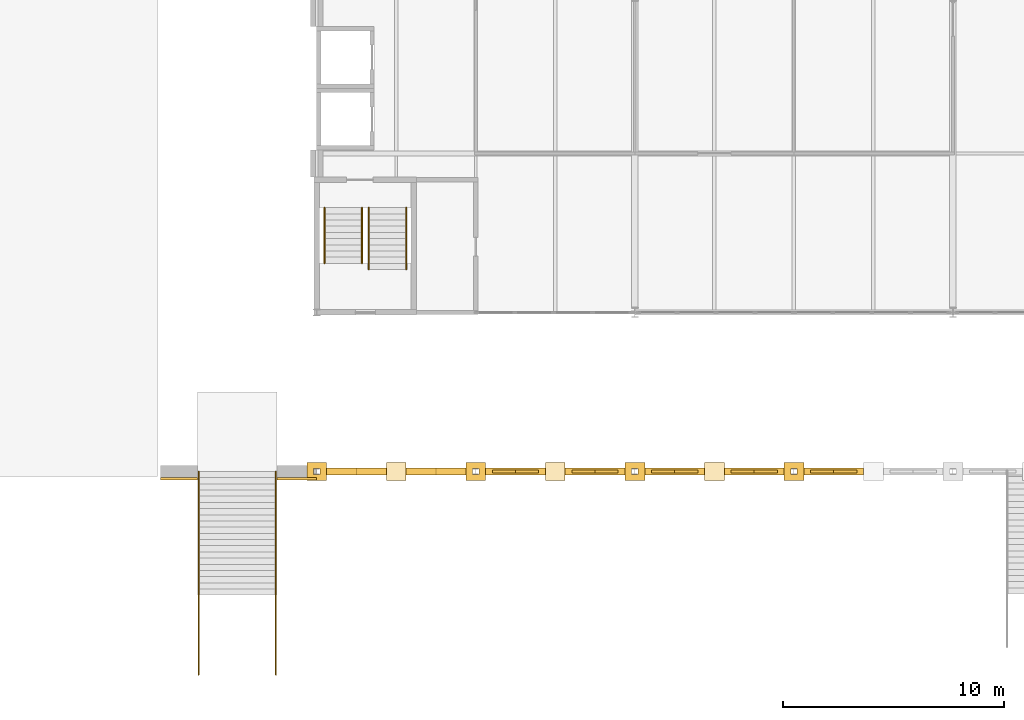
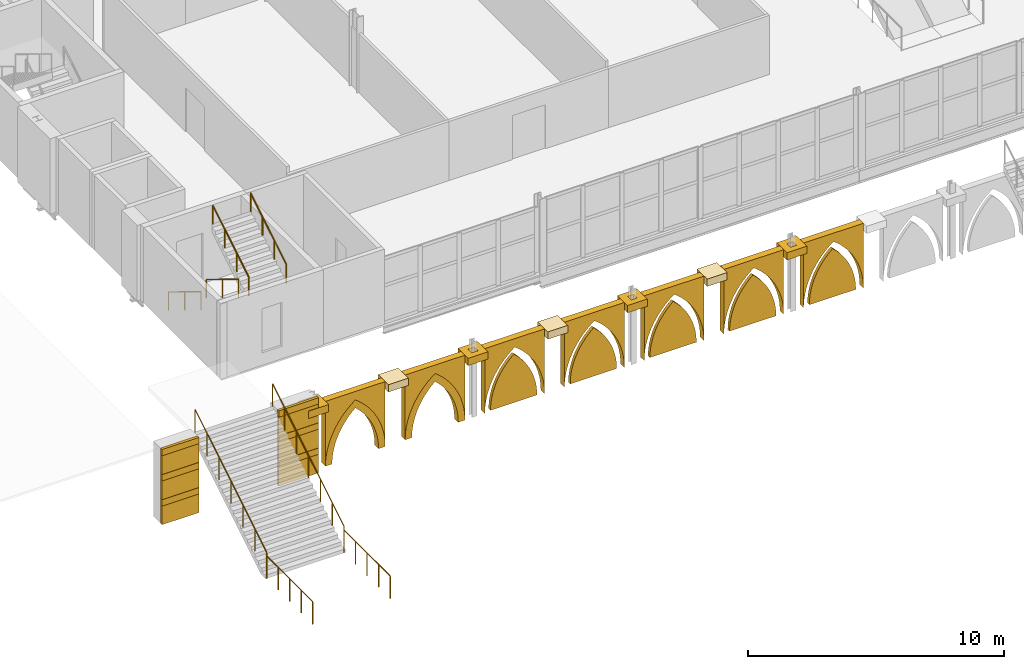
# One storey, part 78 of 90: 33 coverings, 8 railings.
"""IFC4 building model written with IfcOpenShell, lengths in metres."""

from ifc_helpers import new_model, si_unit, direction, frame, origin, origin_2d, place, context, subcontext, project, spatial, polyline, circle, outline, extrude, material, layer, layer_set, type_object, element, save


model = new_model("IFC4")

# Units and contexts
model_context = context("Model", 3, precision=1e-05, world=origin(), true_north=direction((0.0, 1.0)))
body_context = subcontext(model_context, "Body", "Model", "MODEL_VIEW")
ifc_project = project(units=[si_unit("LENGTHUNIT", "METRE"), si_unit("AREAUNIT", "SQUARE_METRE"), si_unit("VOLUMEUNIT", "CUBIC_METRE"), si_unit("PLANEANGLEUNIT", "RADIAN"), si_unit("MASSUNIT", "GRAM", prefix="KILO")], contexts=[model_context])

# Site, building, storey
site_placement = place(None, origin())
site = spatial("IfcSite", under=ifc_project, at=site_placement, CompositionType="ELEMENT")
building_placement = place(site_placement, origin())
building = spatial("IfcBuilding", under=site, at=building_placement, Name="Kupolbacken Congress Centre", CompositionType="ELEMENT")
storey_placement = place(building_placement, frame((0.0, 0.0, 3.60009765625)))
storey = spatial("IfcBuildingStorey", under=building, at=storey_placement, Name="L01", CompositionType="ELEMENT", Elevation=3.60009765625)

# Coverings
ifc_material_1 = material(Name="Limestone cladding", Category="masonry")
ifc_layer_1 = layer(ifc_material_1, 0.1201171875)
ifc_layer_set_1 = layer_set([ifc_layer_1], Name="Limestone cladding")
covering_type_1 = type_object("IfcCoveringType", Name="CV1 limestone cladding band 120", PredefinedType="CLADDING", material=ifc_layer_set_1)
for number, where, name in (
    (1, (0.0, 0.0, 0.89990234375), "Retaining wall facing, limestone course"),
    (2, (0.0, 0.0, 2.099853515625), "Retaining wall facing, limestone course"),
    (3, (0.0, 0.0, 3.2998046875), "Retaining wall facing, limestone course"),
):
    element("IfcCovering", number, at=place(storey_placement, frame(where)), inside=storey, type_object=covering_type_1, Name=name, PredefinedType="CLADDING", context=body_context, shape_type="SweptSolid", body=[
        extrude(outline(polyline([(0.1298828125, 21.205078125), (0.1298828125, 21.324951171875), (1.800048828125, 21.324951171875), (1.800048828125, 21.205078125), (0.1298828125, 21.205078125)])), origin(), (0.0, 0.0, 1.0), 0.300048828125),
    ])
for number, where, name in (
    (4, (0.0, 0.0, 0.89990234375), "Retaining wall facing, limestone course"),
    (5, (0.0, 0.0, 2.099853515625), "Retaining wall facing, limestone course"),
    (6, (0.0, 0.0, 3.2998046875), "Retaining wall facing, limestone course"),
):
    element("IfcCovering", number, at=place(storey_placement, frame(where)), inside=storey, type_object=covering_type_1, Name=name, PredefinedType="CLADDING", context=body_context, shape_type="SweptSolid", body=[
        extrude(outline(polyline([(5.39990234375, 21.205078125), (5.39990234375, 21.324951171875), (7.199951171875, 21.324951171875), (7.199951171875, 21.205078125), (5.39990234375, 21.205078125)])), origin(), (0.0, 0.0, 1.0), 0.300048828125),
    ])
ifc_material_2 = material(Name="Brick cladding", Category="masonry")
ifc_layer_2 = layer(ifc_material_2, 0.10791015625)
ifc_layer_set_2 = layer_set([ifc_layer_2], Name="Brick cladding")
covering_type_2 = type_object("IfcCoveringType", Name="CV2 brick cladding band 108", PredefinedType="CLADDING", material=ifc_layer_set_2)
for number, where, name in (
    (7, (0.0, 0.0, 0.0), "Retaining wall facing, brick course"),
    (8, (0.0, 0.0, 1.199951171875), "Retaining wall facing, brick course"),
    (9, (0.0, 0.0, 2.39990234375), "Retaining wall facing, brick course"),
):
    element("IfcCovering", number, at=place(storey_placement, frame(where)), inside=storey, type_object=covering_type_2, Name=name, PredefinedType="CLADDING", context=body_context, shape_type="SweptSolid", body=[
        extrude(outline(polyline([(0.1298828125, 21.217041015625), (0.1298828125, 21.324951171875), (1.800048828125, 21.324951171875), (1.800048828125, 21.217041015625), (0.1298828125, 21.217041015625)])), origin(), (0.0, 0.0, 1.0), 0.89990234375),
    ])
for number, where, name in (
    (10, (0.0, 0.0, 0.0), "Retaining wall facing, brick course"),
    (11, (0.0, 0.0, 1.199951171875), "Retaining wall facing, brick course"),
    (12, (0.0, 0.0, 2.39990234375), "Retaining wall facing, brick course"),
):
    element("IfcCovering", number, at=place(storey_placement, frame(where)), inside=storey, type_object=covering_type_2, Name=name, PredefinedType="CLADDING", context=body_context, shape_type="SweptSolid", body=[
        extrude(outline(polyline([(5.39990234375, 21.217041015625), (5.39990234375, 21.324951171875), (7.199951171875, 21.324951171875), (7.199951171875, 21.217041015625), (5.39990234375, 21.217041015625)])), origin(), (0.0, 0.0, 1.0), 0.89990234375),
    ])
ifc_material_3 = material(Name="Limestone cladding", Category="masonry")
ifc_layer_3 = layer(ifc_material_3, 0.60009765625)
ifc_layer_set_3 = layer_set([ifc_layer_3], Name="Limestone cladding")
covering_type_3 = type_object("IfcCoveringType", Name="CV5 limestone arcade pier 600", PredefinedType="CLADDING", material=ifc_layer_set_3)
covering_1_placement = place(storey_placement, frame((0.0, 0.0, 2.77001953125)))
element("IfcCovering", 13, at=covering_1_placement, inside=storey, type_object=covering_type_3, Name="F/arc/pier/007.2/cap", PredefinedType="CLADDING", context=body_context, shape_type="SweptSolid", body=[
    extrude(outline(polyline([(6.75, 21.199951171875), (7.64990234375, 21.199951171875), (7.64990234375, 22.0), (6.75, 22.0), (6.75, 21.199951171875)]), holes=[polyline([(7.06005859375, 21.4599609375), (7.340087890625, 21.4599609375), (7.340087890625, 21.739990234375), (7.06005859375, 21.739990234375), (7.06005859375, 21.4599609375)])]), origin(), (0.0, 0.0, 1.0), 0.349853515625),
])
covering_2_placement = place(storey_placement, frame((0.0, 0.0, 2.77001953125)))
element("IfcCovering", 14, at=covering_2_placement, inside=storey, type_object=covering_type_3, Name="F/arc/pier/010.8/cap", PredefinedType="CLADDING", context=body_context, shape_type="SweptSolid", body=[
    extrude(outline(polyline([(10.35009765625, 21.199951171875), (11.25, 21.199951171875), (11.25, 22.0), (10.35009765625, 22.0), (10.35009765625, 21.199951171875)])), origin(), (0.0, 0.0, 1.0), 0.349853515625),
])
covering_3_placement = place(storey_placement, frame((0.0, 0.0, 2.77001953125)))
element("IfcCovering", 15, at=covering_3_placement, inside=storey, type_object=covering_type_3, Name="F/arc/pier/014.4/cap", PredefinedType="CLADDING", context=body_context, shape_type="SweptSolid", body=[
    extrude(outline(polyline([(13.949951171875, 21.199951171875), (14.85009765625, 21.199951171875), (14.85009765625, 22.0), (13.949951171875, 22.0), (13.949951171875, 21.199951171875)]), holes=[polyline([(14.260009765625, 21.4599609375), (14.5400390625, 21.4599609375), (14.5400390625, 21.739990234375), (14.260009765625, 21.739990234375), (14.260009765625, 21.4599609375)])]), origin(), (0.0, 0.0, 1.0), 0.349853515625),
])
covering_4_placement = place(storey_placement, frame((0.0, 0.0, 2.77001953125)))
element("IfcCovering", 16, at=covering_4_placement, inside=storey, type_object=covering_type_3, Name="F/arc/pier/018.0/cap", PredefinedType="CLADDING", context=body_context, shape_type="SweptSolid", body=[
    extrude(outline(polyline([(17.550048828125, 21.199951171875), (18.449951171875, 21.199951171875), (18.449951171875, 22.0), (17.550048828125, 22.0), (17.550048828125, 21.199951171875)])), origin(), (0.0, 0.0, 1.0), 0.349853515625),
])
covering_5_placement = place(storey_placement, frame((0.0, 0.0, 2.77001953125)))
element("IfcCovering", 17, at=covering_5_placement, inside=storey, type_object=covering_type_3, Name="F/arc/pier/021.6/cap", PredefinedType="CLADDING", context=body_context, shape_type="SweptSolid", body=[
    extrude(outline(polyline([(21.14990234375, 21.199951171875), (22.050048828125, 21.199951171875), (22.050048828125, 22.0), (21.14990234375, 22.0), (21.14990234375, 21.199951171875)]), holes=[polyline([(21.4599609375, 21.4599609375), (21.739990234375, 21.4599609375), (21.739990234375, 21.739990234375), (21.4599609375, 21.739990234375), (21.4599609375, 21.4599609375)])]), origin(), (0.0, 0.0, 1.0), 0.349853515625),
])
covering_6_placement = place(storey_placement, frame((0.0, 0.0, 2.77001953125)))
element("IfcCovering", 18, at=covering_6_placement, inside=storey, type_object=covering_type_3, Name="F/arc/pier/025.2/cap", PredefinedType="CLADDING", context=body_context, shape_type="SweptSolid", body=[
    extrude(outline(polyline([(24.75, 21.199951171875), (25.64990234375, 21.199951171875), (25.64990234375, 22.0), (24.75, 22.0), (24.75, 21.199951171875)])), origin(), (0.0, 0.0, 1.0), 0.349853515625),
])
covering_7_placement = place(storey_placement, frame((0.0, 0.0, 2.77001953125)))
element("IfcCovering", 19, at=covering_7_placement, inside=storey, type_object=covering_type_3, Name="F/arc/pier/028.8/cap", PredefinedType="CLADDING", context=body_context, shape_type="SweptSolid", body=[
    extrude(outline(polyline([(28.35009765625, 21.199951171875), (29.25, 21.199951171875), (29.25, 22.0), (28.35009765625, 22.0), (28.35009765625, 21.199951171875)]), holes=[polyline([(28.659912109375, 21.4599609375), (28.93994140625, 21.4599609375), (28.93994140625, 21.739990234375), (28.659912109375, 21.739990234375), (28.659912109375, 21.4599609375)])]), origin(), (0.0, 0.0, 1.0), 0.349853515625),
])
ifc_material_4 = material(Name="Limestone cladding", Category="masonry")
ifc_layer_4 = layer(ifc_material_4, 0.300048828125)
ifc_layer_set_4 = layer_set([ifc_layer_4], Name="Limestone cladding")
covering_type_4 = type_object("IfcCoveringType", Name="CV6 limestone arcade arch frame 300", PredefinedType="CLADDING", material=ifc_layer_set_4)
covering_8_placement = place(storey_placement, frame((7.64990234375, 21.449951171875, 0.02001953125), z_axis=(0.0, 1.0, 0.0), x_axis=(-1.0, 0.0, 0.0)))
element("IfcCovering", 20, at=covering_8_placement, inside=storey, type_object=covering_type_4, Name="F/arc/arch/007.2", PredefinedType="CLADDING", context=body_context, shape_type="SweptSolid", body=[
    extrude(outline(polyline([(0.0, 0.0), (-0.00732421875, 0.223388671875), (-0.029541015625, 0.44580078125), (-0.06640625, 0.666259765625), (-0.117919921875, 0.8837890625), (-0.183349609375, 1.097412109375), (-0.262939453125, 1.30615234375), (-0.356201171875, 1.50927734375), (-0.462890625, 1.705810546875), (-0.58203125, 1.894775390625), (-0.713623046875, 2.075439453125), (-0.85693359375, 2.2470703125), (-1.010986328125, 2.408935546875), (-1.17578125, 2.56005859375), (-1.35009765625, 2.699951171875), (-1.5244140625, 2.56005859375), (-1.68896484375, 2.408935546875), (-1.843017578125, 2.2470703125), (-1.986328125, 2.075439453125), (-2.117919921875, 1.894775390625), (-2.2373046875, 1.705810546875), (-2.34375, 1.50927734375), (-2.43701171875, 1.30615234375), (-2.5166015625, 1.097412109375), (-2.582275390625, 0.8837890625), (-2.633544921875, 0.666259765625), (-2.67041015625, 0.44580078125), (-2.692626953125, 0.223388671875), (-2.699951171875, 0.0), (-2.39990234375, 0.0), (-2.394287109375, 0.18701171875), (-2.377197265625, 0.373291015625), (-2.348876953125, 0.55810546875), (-2.309326171875, 0.7412109375), (-2.2587890625, 0.921142578125), (-2.197265625, 1.097900390625), (-2.125244140625, 1.2705078125), (-2.042724609375, 1.4384765625), (-1.9501953125, 1.60107421875), (-1.847900390625, 1.7578125), (-1.736572265625, 1.907958984375), (-1.615966796875, 2.051025390625), (-1.487060546875, 2.186767578125), (-1.35009765625, 2.314208984375), (-1.212890625, 2.186767578125), (-1.083984375, 2.051025390625), (-0.96337890625, 1.907958984375), (-0.85205078125, 1.7578125), (-0.749755859375, 1.60107421875), (-0.6572265625, 1.4384765625), (-0.57470703125, 1.2705078125), (-0.502685546875, 1.097900390625), (-0.441162109375, 0.921142578125), (-0.390625, 0.7412109375), (-0.35107421875, 0.55810546875), (-0.32275390625, 0.373291015625), (-0.3056640625, 0.18701171875), (-0.300048828125, 0.0), (0.0, 0.0)])), origin(), (0.0, 0.0, 1.0), 0.300048828125),
])
covering_9_placement = place(storey_placement, frame((11.25, 21.449951171875, 0.02001953125), z_axis=(0.0, 1.0, 0.0), x_axis=(-1.0, 0.0, 0.0)))
element("IfcCovering", 21, at=covering_9_placement, inside=storey, type_object=covering_type_4, Name="F/arc/arch/010.8", PredefinedType="CLADDING", context=body_context, shape_type="SweptSolid", body=[
    extrude(outline(polyline([(0.0, 0.0), (-0.00732421875, 0.223388671875), (-0.029541015625, 0.44580078125), (-0.06640625, 0.666259765625), (-0.117919921875, 0.8837890625), (-0.183349609375, 1.097412109375), (-0.262939453125, 1.30615234375), (-0.356201171875, 1.50927734375), (-0.462890625, 1.705810546875), (-0.58203125, 1.894775390625), (-0.713623046875, 2.075439453125), (-0.85693359375, 2.2470703125), (-1.010986328125, 2.408935546875), (-1.17578125, 2.56005859375), (-1.35009765625, 2.699951171875), (-1.5244140625, 2.56005859375), (-1.68896484375, 2.408935546875), (-1.843017578125, 2.2470703125), (-1.986328125, 2.075439453125), (-2.117919921875, 1.894775390625), (-2.2373046875, 1.705810546875), (-2.34375, 1.50927734375), (-2.43701171875, 1.30615234375), (-2.5166015625, 1.097412109375), (-2.582275390625, 0.8837890625), (-2.633544921875, 0.666259765625), (-2.67041015625, 0.44580078125), (-2.692626953125, 0.223388671875), (-2.699951171875, 0.0), (-2.39990234375, 0.0), (-2.394287109375, 0.18701171875), (-2.377197265625, 0.373291015625), (-2.348876953125, 0.55810546875), (-2.309326171875, 0.7412109375), (-2.2587890625, 0.921142578125), (-2.197265625, 1.097900390625), (-2.125244140625, 1.2705078125), (-2.042724609375, 1.4384765625), (-1.9501953125, 1.60107421875), (-1.847900390625, 1.7578125), (-1.736572265625, 1.907958984375), (-1.615966796875, 2.051025390625), (-1.487060546875, 2.186767578125), (-1.35009765625, 2.314208984375), (-1.212890625, 2.186767578125), (-1.083984375, 2.051025390625), (-0.96337890625, 1.907958984375), (-0.85205078125, 1.7578125), (-0.749755859375, 1.60107421875), (-0.6572265625, 1.4384765625), (-0.57470703125, 1.2705078125), (-0.502685546875, 1.097900390625), (-0.441162109375, 0.921142578125), (-0.390625, 0.7412109375), (-0.35107421875, 0.55810546875), (-0.32275390625, 0.373291015625), (-0.3056640625, 0.18701171875), (-0.300048828125, 0.0), (0.0, 0.0)])), origin(), (0.0, 0.0, 1.0), 0.300048828125),
])
ifc_material_5 = material(Name="Limestone cladding", Category="masonry")
ifc_layer_5 = layer(ifc_material_5, 0.300048828125)
ifc_layer_set_5 = layer_set([ifc_layer_5], Name="Limestone cladding")
covering_type_5 = type_object("IfcCoveringType", Name="CV7 limestone arcade spandrel 300", PredefinedType="CLADDING", material=ifc_layer_set_5)
for number, where, z_axis, x_axis, name in (
    (22, (7.64990234375, 21.449951171875, 0.02001953125), (0.0, 1.0, 0.0), (-1.0, 0.0, 0.0), "F/arc/span/007.2"),
    (23, (11.25, 21.449951171875, 0.02001953125), (0.0, 1.0, 0.0), (-1.0, 0.0, 0.0), "F/arc/span/010.8"),
    (24, (14.85009765625, 21.449951171875, 0.02001953125), (0.0, 1.0, 0.0), (-1.0, 0.0, 0.0), "F/arc/span/014.4"),
):
    element("IfcCovering", number, at=place(storey_placement, frame(where, z_axis=z_axis, x_axis=x_axis)), inside=storey, type_object=covering_type_5, Name=name, PredefinedType="CLADDING", context=body_context, shape_type="SweptSolid", body=[
        extrude(outline(polyline([(0.0, 0.0), (0.0, 3.10009765625), (-2.699951171875, 3.10009765625), (-2.699951171875, 0.0), (-2.692626953125, 0.223388671875), (-2.67041015625, 0.44580078125), (-2.633544921875, 0.666259765625), (-2.582275390625, 0.8837890625), (-2.5166015625, 1.097412109375), (-2.43701171875, 1.30615234375), (-2.34375, 1.50927734375), (-2.2373046875, 1.705810546875), (-2.117919921875, 1.894775390625), (-1.986328125, 2.075439453125), (-1.843017578125, 2.2470703125), (-1.68896484375, 2.408935546875), (-1.5244140625, 2.56005859375), (-1.35009765625, 2.699951171875), (-1.17578125, 2.56005859375), (-1.010986328125, 2.408935546875), (-0.85693359375, 2.2470703125), (-0.713623046875, 2.075439453125), (-0.58203125, 1.894775390625), (-0.462890625, 1.705810546875), (-0.356201171875, 1.50927734375), (-0.262939453125, 1.30615234375), (-0.183349609375, 1.097412109375), (-0.117919921875, 0.8837890625), (-0.06640625, 0.666259765625), (-0.029541015625, 0.44580078125), (-0.00732421875, 0.223388671875), (0.0, 0.0)])), origin(), (0.0, 0.0, 1.0), 0.300048828125),
    ])
covering_10_placement = place(storey_placement, frame((14.85009765625, 21.52490234375, 0.02001953125), z_axis=(0.0, 1.0, 0.0), x_axis=(-1.0, 0.0, 0.0)))
element("IfcCovering", 25, at=covering_10_placement, inside=storey, type_object=covering_type_5, Name="F/arc/tymp/014.4", PredefinedType="CLADDING", context=body_context, shape_type="SweptSolid", body=[
    extrude(outline(polyline([(-0.300048828125, 0.0), (-0.3056640625, 0.18701171875), (-0.32275390625, 0.373291015625), (-0.35107421875, 0.55810546875), (-0.390625, 0.7412109375), (-0.441162109375, 0.921142578125), (-0.502685546875, 1.097900390625), (-0.57470703125, 1.2705078125), (-0.6572265625, 1.4384765625), (-0.749755859375, 1.60107421875), (-0.85205078125, 1.7578125), (-0.96337890625, 1.907958984375), (-1.083984375, 2.051025390625), (-1.212890625, 2.186767578125), (-1.35009765625, 2.314208984375), (-1.487060546875, 2.186767578125), (-1.615966796875, 2.051025390625), (-1.736572265625, 1.907958984375), (-1.847900390625, 1.7578125), (-1.9501953125, 1.60107421875), (-2.042724609375, 1.4384765625), (-2.125244140625, 1.2705078125), (-2.197265625, 1.097900390625), (-2.2587890625, 0.921142578125), (-2.309326171875, 0.7412109375), (-2.348876953125, 0.55810546875), (-2.377197265625, 0.373291015625), (-2.394287109375, 0.18701171875), (-2.39990234375, 0.0), (-0.300048828125, 0.0)])), origin(), (0.0, 0.0, 1.0), 0.14990234375),
])
covering_11_placement = place(storey_placement, frame((18.449951171875, 21.449951171875, 0.02001953125), z_axis=(0.0, 1.0, 0.0), x_axis=(-1.0, 0.0, 0.0)))
element("IfcCovering", 26, at=covering_11_placement, inside=storey, type_object=covering_type_5, Name="F/arc/span/018.0", PredefinedType="CLADDING", context=body_context, shape_type="SweptSolid", body=[
    extrude(outline(polyline([(0.0, 0.0), (0.0, 3.10009765625), (-2.699951171875, 3.10009765625), (-2.699951171875, 0.0), (-2.692626953125, 0.223388671875), (-2.67041015625, 0.44580078125), (-2.633544921875, 0.666259765625), (-2.582275390625, 0.8837890625), (-2.5166015625, 1.097412109375), (-2.43701171875, 1.30615234375), (-2.34375, 1.50927734375), (-2.2373046875, 1.705810546875), (-2.117919921875, 1.894775390625), (-1.986328125, 2.075439453125), (-1.843017578125, 2.2470703125), (-1.68896484375, 2.408935546875), (-1.5244140625, 2.56005859375), (-1.35009765625, 2.699951171875), (-1.17578125, 2.56005859375), (-1.010986328125, 2.408935546875), (-0.85693359375, 2.2470703125), (-0.713623046875, 2.075439453125), (-0.58203125, 1.894775390625), (-0.462890625, 1.705810546875), (-0.356201171875, 1.50927734375), (-0.262939453125, 1.30615234375), (-0.183349609375, 1.097412109375), (-0.117919921875, 0.8837890625), (-0.06640625, 0.666259765625), (-0.029541015625, 0.44580078125), (-0.00732421875, 0.223388671875), (0.0, 0.0)])), origin(), (0.0, 0.0, 1.0), 0.300048828125),
])
covering_12_placement = place(storey_placement, frame((18.449951171875, 21.52490234375, 0.02001953125), z_axis=(0.0, 1.0, 0.0), x_axis=(-1.0, 0.0, 0.0)))
element("IfcCovering", 27, at=covering_12_placement, inside=storey, type_object=covering_type_5, Name="F/arc/tymp/018.0", PredefinedType="CLADDING", context=body_context, shape_type="SweptSolid", body=[
    extrude(outline(polyline([(-0.300048828125, 0.0), (-0.3056640625, 0.18701171875), (-0.32275390625, 0.373291015625), (-0.35107421875, 0.55810546875), (-0.390625, 0.7412109375), (-0.441162109375, 0.921142578125), (-0.502685546875, 1.097900390625), (-0.57470703125, 1.2705078125), (-0.6572265625, 1.4384765625), (-0.749755859375, 1.60107421875), (-0.85205078125, 1.7578125), (-0.96337890625, 1.907958984375), (-1.083984375, 2.051025390625), (-1.212890625, 2.186767578125), (-1.35009765625, 2.314208984375), (-1.487060546875, 2.186767578125), (-1.615966796875, 2.051025390625), (-1.736572265625, 1.907958984375), (-1.847900390625, 1.7578125), (-1.9501953125, 1.60107421875), (-2.042724609375, 1.4384765625), (-2.125244140625, 1.2705078125), (-2.197265625, 1.097900390625), (-2.2587890625, 0.921142578125), (-2.309326171875, 0.7412109375), (-2.348876953125, 0.55810546875), (-2.377197265625, 0.373291015625), (-2.394287109375, 0.18701171875), (-2.39990234375, 0.0), (-0.300048828125, 0.0)])), origin(), (0.0, 0.0, 1.0), 0.14990234375),
])
covering_13_placement = place(storey_placement, frame((22.050048828125, 21.449951171875, 0.02001953125), z_axis=(0.0, 1.0, 0.0), x_axis=(-1.0, 0.0, 0.0)))
element("IfcCovering", 28, at=covering_13_placement, inside=storey, type_object=covering_type_5, Name="F/arc/span/021.6", PredefinedType="CLADDING", context=body_context, shape_type="SweptSolid", body=[
    extrude(outline(polyline([(0.0, 0.0), (0.0, 3.10009765625), (-2.699951171875, 3.10009765625), (-2.699951171875, 0.0), (-2.692626953125, 0.223388671875), (-2.67041015625, 0.44580078125), (-2.633544921875, 0.666259765625), (-2.582275390625, 0.8837890625), (-2.5166015625, 1.097412109375), (-2.43701171875, 1.30615234375), (-2.34375, 1.50927734375), (-2.2373046875, 1.705810546875), (-2.117919921875, 1.894775390625), (-1.986328125, 2.075439453125), (-1.843017578125, 2.2470703125), (-1.68896484375, 2.408935546875), (-1.5244140625, 2.56005859375), (-1.35009765625, 2.699951171875), (-1.17578125, 2.56005859375), (-1.010986328125, 2.408935546875), (-0.85693359375, 2.2470703125), (-0.713623046875, 2.075439453125), (-0.58203125, 1.894775390625), (-0.462890625, 1.705810546875), (-0.356201171875, 1.50927734375), (-0.262939453125, 1.30615234375), (-0.183349609375, 1.097412109375), (-0.117919921875, 0.8837890625), (-0.06640625, 0.666259765625), (-0.029541015625, 0.44580078125), (-0.00732421875, 0.223388671875), (0.0, 0.0)])), origin(), (0.0, 0.0, 1.0), 0.300048828125),
])
covering_14_placement = place(storey_placement, frame((22.050048828125, 21.52490234375, 0.02001953125), z_axis=(0.0, 1.0, 0.0), x_axis=(-1.0, 0.0, 0.0)))
element("IfcCovering", 29, at=covering_14_placement, inside=storey, type_object=covering_type_5, Name="F/arc/tymp/021.6", PredefinedType="CLADDING", context=body_context, shape_type="SweptSolid", body=[
    extrude(outline(polyline([(-0.300048828125, 0.0), (-0.3056640625, 0.18701171875), (-0.32275390625, 0.373291015625), (-0.35107421875, 0.55810546875), (-0.390625, 0.7412109375), (-0.441162109375, 0.921142578125), (-0.502685546875, 1.097900390625), (-0.57470703125, 1.2705078125), (-0.6572265625, 1.4384765625), (-0.749755859375, 1.60107421875), (-0.85205078125, 1.7578125), (-0.96337890625, 1.907958984375), (-1.083984375, 2.051025390625), (-1.212890625, 2.186767578125), (-1.35009765625, 2.314208984375), (-1.487060546875, 2.186767578125), (-1.615966796875, 2.051025390625), (-1.736572265625, 1.907958984375), (-1.847900390625, 1.7578125), (-1.9501953125, 1.60107421875), (-2.042724609375, 1.4384765625), (-2.125244140625, 1.2705078125), (-2.197265625, 1.097900390625), (-2.2587890625, 0.921142578125), (-2.309326171875, 0.7412109375), (-2.348876953125, 0.55810546875), (-2.377197265625, 0.373291015625), (-2.394287109375, 0.18701171875), (-2.39990234375, 0.0), (-0.300048828125, 0.0)])), origin(), (0.0, 0.0, 1.0), 0.14990234375),
])
covering_15_placement = place(storey_placement, frame((25.64990234375, 21.449951171875, 0.02001953125), z_axis=(0.0, 1.0, 0.0), x_axis=(-1.0, 0.0, 0.0)))
element("IfcCovering", 30, at=covering_15_placement, inside=storey, type_object=covering_type_5, Name="F/arc/span/025.2", PredefinedType="CLADDING", context=body_context, shape_type="SweptSolid", body=[
    extrude(outline(polyline([(0.0, 0.0), (0.0, 3.10009765625), (-2.699951171875, 3.10009765625), (-2.699951171875, 0.0), (-2.692626953125, 0.223388671875), (-2.67041015625, 0.44580078125), (-2.633544921875, 0.666259765625), (-2.582275390625, 0.8837890625), (-2.5166015625, 1.097412109375), (-2.43701171875, 1.30615234375), (-2.34375, 1.50927734375), (-2.2373046875, 1.705810546875), (-2.117919921875, 1.894775390625), (-1.986328125, 2.075439453125), (-1.843017578125, 2.2470703125), (-1.68896484375, 2.408935546875), (-1.5244140625, 2.56005859375), (-1.35009765625, 2.699951171875), (-1.17578125, 2.56005859375), (-1.010986328125, 2.408935546875), (-0.85693359375, 2.2470703125), (-0.713623046875, 2.075439453125), (-0.58203125, 1.894775390625), (-0.462890625, 1.705810546875), (-0.356201171875, 1.50927734375), (-0.262939453125, 1.30615234375), (-0.183349609375, 1.097412109375), (-0.117919921875, 0.8837890625), (-0.06640625, 0.666259765625), (-0.029541015625, 0.44580078125), (-0.00732421875, 0.223388671875), (0.0, 0.0)])), origin(), (0.0, 0.0, 1.0), 0.300048828125),
])
covering_16_placement = place(storey_placement, frame((25.64990234375, 21.52490234375, 0.02001953125), z_axis=(0.0, 1.0, 0.0), x_axis=(-1.0, 0.0, 0.0)))
element("IfcCovering", 31, at=covering_16_placement, inside=storey, type_object=covering_type_5, Name="F/arc/tymp/025.2", PredefinedType="CLADDING", context=body_context, shape_type="SweptSolid", body=[
    extrude(outline(polyline([(-0.300048828125, 0.0), (-0.3056640625, 0.18701171875), (-0.32275390625, 0.373291015625), (-0.35107421875, 0.55810546875), (-0.390625, 0.7412109375), (-0.441162109375, 0.921142578125), (-0.502685546875, 1.097900390625), (-0.57470703125, 1.2705078125), (-0.6572265625, 1.4384765625), (-0.749755859375, 1.60107421875), (-0.85205078125, 1.7578125), (-0.96337890625, 1.907958984375), (-1.083984375, 2.051025390625), (-1.212890625, 2.186767578125), (-1.35009765625, 2.314208984375), (-1.487060546875, 2.186767578125), (-1.615966796875, 2.051025390625), (-1.736572265625, 1.907958984375), (-1.847900390625, 1.7578125), (-1.9501953125, 1.60107421875), (-2.042724609375, 1.4384765625), (-2.125244140625, 1.2705078125), (-2.197265625, 1.097900390625), (-2.2587890625, 0.921142578125), (-2.309326171875, 0.7412109375), (-2.348876953125, 0.55810546875), (-2.377197265625, 0.373291015625), (-2.394287109375, 0.18701171875), (-2.39990234375, 0.0), (-0.300048828125, 0.0)])), origin(), (0.0, 0.0, 1.0), 0.14990234375),
])
covering_17_placement = place(storey_placement, frame((29.25, 21.449951171875, 0.02001953125), z_axis=(0.0, 1.0, 0.0), x_axis=(-1.0, 0.0, 0.0)))
element("IfcCovering", 32, at=covering_17_placement, inside=storey, type_object=covering_type_5, Name="F/arc/span/028.8", PredefinedType="CLADDING", context=body_context, shape_type="SweptSolid", body=[
    extrude(outline(polyline([(0.0, 0.0), (0.0, 3.10009765625), (-2.699951171875, 3.10009765625), (-2.699951171875, 0.0), (-2.692626953125, 0.223388671875), (-2.67041015625, 0.44580078125), (-2.633544921875, 0.666259765625), (-2.582275390625, 0.8837890625), (-2.5166015625, 1.097412109375), (-2.43701171875, 1.30615234375), (-2.34375, 1.50927734375), (-2.2373046875, 1.705810546875), (-2.117919921875, 1.894775390625), (-1.986328125, 2.075439453125), (-1.843017578125, 2.2470703125), (-1.68896484375, 2.408935546875), (-1.5244140625, 2.56005859375), (-1.35009765625, 2.699951171875), (-1.17578125, 2.56005859375), (-1.010986328125, 2.408935546875), (-0.85693359375, 2.2470703125), (-0.713623046875, 2.075439453125), (-0.58203125, 1.894775390625), (-0.462890625, 1.705810546875), (-0.356201171875, 1.50927734375), (-0.262939453125, 1.30615234375), (-0.183349609375, 1.097412109375), (-0.117919921875, 0.8837890625), (-0.06640625, 0.666259765625), (-0.029541015625, 0.44580078125), (-0.00732421875, 0.223388671875), (0.0, 0.0)])), origin(), (0.0, 0.0, 1.0), 0.300048828125),
])
covering_18_placement = place(storey_placement, frame((29.25, 21.52490234375, 0.02001953125), z_axis=(0.0, 1.0, 0.0), x_axis=(-1.0, 0.0, 0.0)))
element("IfcCovering", 33, at=covering_18_placement, inside=storey, type_object=covering_type_5, Name="F/arc/tymp/028.8", PredefinedType="CLADDING", context=body_context, shape_type="SweptSolid", body=[
    extrude(outline(polyline([(-0.300048828125, 0.0), (-0.3056640625, 0.18701171875), (-0.32275390625, 0.373291015625), (-0.35107421875, 0.55810546875), (-0.390625, 0.7412109375), (-0.441162109375, 0.921142578125), (-0.502685546875, 1.097900390625), (-0.57470703125, 1.2705078125), (-0.6572265625, 1.4384765625), (-0.749755859375, 1.60107421875), (-0.85205078125, 1.7578125), (-0.96337890625, 1.907958984375), (-1.083984375, 2.051025390625), (-1.212890625, 2.186767578125), (-1.35009765625, 2.314208984375), (-1.487060546875, 2.186767578125), (-1.615966796875, 2.051025390625), (-1.736572265625, 1.907958984375), (-1.847900390625, 1.7578125), (-1.9501953125, 1.60107421875), (-2.042724609375, 1.4384765625), (-2.125244140625, 1.2705078125), (-2.197265625, 1.097900390625), (-2.2587890625, 0.921142578125), (-2.309326171875, 0.7412109375), (-2.348876953125, 0.55810546875), (-2.377197265625, 0.373291015625), (-2.394287109375, 0.18701171875), (-2.39990234375, 0.0), (-0.300048828125, 0.0)])), origin(), (0.0, 0.0, 1.0), 0.14990234375),
])

# Railings
ifc_material_6 = material(Name="Steel S235", Category="steel")
railing_type_1 = type_object("IfcRailingType", Name="RL2 stair guard with handrail 900 / 1100", PredefinedType="GUARDRAIL", material=ifc_material_6)
for number, where, name in (
    (34, (1.85009765625, 16.0, 0.17138671875), "C/xguard/XS1/XS1-B/W"),
    (35, (5.35009765625, 16.0, 0.17138671875), "C/xguard/XS1/XS1-B/E"),
):
    element("IfcRailing", number, at=place(storey_placement, frame(where)), inside=storey, type_object=railing_type_1, Name=name, PredefinedType="GUARDRAIL", context=body_context, shape_type="SweptSolid", body=[
        extrude(circle(Radius=0.02392578125, at=origin_2d()), frame((0.0, 0.0, 1.076171875), z_axis=(0.0, 0.85289556875, 0.522081553789), x_axis=(-1.0, 0.0, 0.0)), (0.0, 0.0, 1.0), 6.56591796875),
        extrude(circle(Radius=0.02099609375, at=origin_2d()), origin(), (0.0, 0.0, 1.0), 1.052001953125),
        extrude(circle(Radius=0.02099609375, at=origin_2d()), frame((0.0, 0.933349609375, 0.5712890625)), (0.0, 0.0, 1.0), 1.052001953125),
        extrude(circle(Radius=0.02099609375, at=origin_2d()), frame((0.0, 1.86669921875, 1.142578125)), (0.0, 0.0, 1.0), 1.052001953125),
        extrude(circle(Radius=0.02099609375, at=origin_2d()), frame((0.0, 2.800048828125, 1.7138671875)), (0.0, 0.0, 1.0), 1.052001953125),
        extrude(circle(Radius=0.02099609375, at=origin_2d()), frame((0.0, 3.7333984375, 2.285400390625)), (0.0, 0.0, 1.0), 1.052001953125),
        extrude(circle(Radius=0.02099609375, at=origin_2d()), frame((0.0, 4.666748046875, 2.856689453125)), (0.0, 0.0, 1.0), 1.052001953125),
        extrude(circle(Radius=0.02099609375, at=origin_2d()), frame((0.0, 5.60009765625, 3.427978515625)), (0.0, 0.0, 1.0), 1.052001953125),
    ])
for number, where, name in (
    (36, (1.85009765625, 12.39990234375, 0.0), "C/xguard/XS1/L1/W"),
    (37, (5.35009765625, 12.39990234375, 0.0), "C/xguard/XS1/L1/E"),
):
    element("IfcRailing", number, at=place(storey_placement, frame(where)), inside=storey, type_object=railing_type_1, Name=name, PredefinedType="GUARDRAIL", context=body_context, shape_type="SweptSolid", body=[
        extrude(circle(Radius=0.02392578125, at=origin_2d()), frame((0.0, 0.0, 1.076171875), z_axis=(0.0, 1.0, 0.0), x_axis=(-1.0, 0.0, 0.0)), (0.0, 0.0, 1.0), 3.60009765625),
        extrude(circle(Radius=0.02099609375, at=origin_2d()), origin(), (0.0, 0.0, 1.0), 1.052001953125),
        extrude(circle(Radius=0.02099609375, at=origin_2d()), frame((0.0, 0.89990234375, 0.0)), (0.0, 0.0, 1.0), 1.052001953125),
        extrude(circle(Radius=0.02099609375, at=origin_2d()), frame((0.0, 1.800048828125, 0.0)), (0.0, 0.0, 1.0), 1.052001953125),
        extrude(circle(Radius=0.02099609375, at=origin_2d()), frame((0.0, 2.7001953125, 0.0)), (0.0, 0.0, 1.0), 1.052001953125),
        extrude(circle(Radius=0.02099609375, at=origin_2d()), frame((0.0, 3.60009765625, 0.0)), (0.0, 0.0, 1.0), 1.052001953125),
    ])
ifc_material_7 = material(Name="Steel S235", Category="steel")
railing_type_2 = type_object("IfcRailingType", Name="RL3 handrail wall-mounted 900", PredefinedType="HANDRAIL", material=ifc_material_7)
for number, where, name in (
    (38, (9.25, 33.544921875, 0.17138671875), "C/stair/FS1W/L01/HR1L"),
    (39, (7.550048828125, 33.544921875, 0.17138671875), "C/stair/FS1W/L01/HR1R"),
):
    element("IfcRailing", number, at=place(storey_placement, frame(where)), inside=storey, type_object=railing_type_2, Name=name, PredefinedType="HANDRAIL", context=body_context, shape_type="SweptSolid", body=[
        extrude(circle(Radius=0.02392578125, at=origin_2d()), frame((0.0, 0.0, 0.8759765625), z_axis=(0.0, -0.852873080145, 0.522118290393), x_axis=(1.0, 0.0, 0.0)), (0.0, 0.0, 1.0), 2.954833984375),
        extrude(circle(Radius=0.02099609375, at=origin_2d()), origin(), (0.0, 0.0, 1.0), 0.851806640625),
        extrude(circle(Radius=0.02099609375, at=origin_2d()), frame((0.0, -1.260009765625, 0.771484375)), (0.0, 0.0, 1.0), 0.851806640625),
        extrude(circle(Radius=0.02099609375, at=origin_2d()), frame((0.0, -2.52001953125, 1.542724609375)), (0.0, 0.0, 1.0), 0.851806640625),
    ])
for number, where, name in (
    (40, (9.550048828125, 30.7451171875, 1.885498046875), "C/stair/FS1W/L01/HR2L"),
    (41, (11.25, 30.7451171875, 1.885498046875), "C/stair/FS1W/L01/HR2R"),
):
    element("IfcRailing", number, at=place(storey_placement, frame(where)), inside=storey, type_object=railing_type_2, Name=name, PredefinedType="HANDRAIL", context=body_context, shape_type="SweptSolid", body=[
        extrude(circle(Radius=0.02392578125, at=origin_2d()), frame((0.0, 0.0, 0.8759765625), z_axis=(0.0, 0.852825620865, 0.522195806567), x_axis=(-1.0, 0.0, 0.0)), (0.0, 0.0, 1.0), 3.282958984375),
        extrude(circle(Radius=0.02099609375, at=origin_2d()), origin(), (0.0, 0.0, 1.0), 0.851806640625),
        extrude(circle(Radius=0.02099609375, at=origin_2d()), frame((0.0, 0.933349609375, 0.571533203125)), (0.0, 0.0, 1.0), 0.851806640625),
        extrude(circle(Radius=0.02099609375, at=origin_2d()), frame((0.0, 1.866455078125, 1.142822265625)), (0.0, 0.0, 1.0), 0.851806640625),
        extrude(circle(Radius=0.02099609375, at=origin_2d()), frame((0.0, 2.7998046875, 1.71435546875)), (0.0, 0.0, 1.0), 0.851806640625),
    ])

save(model, "model.ifc")
